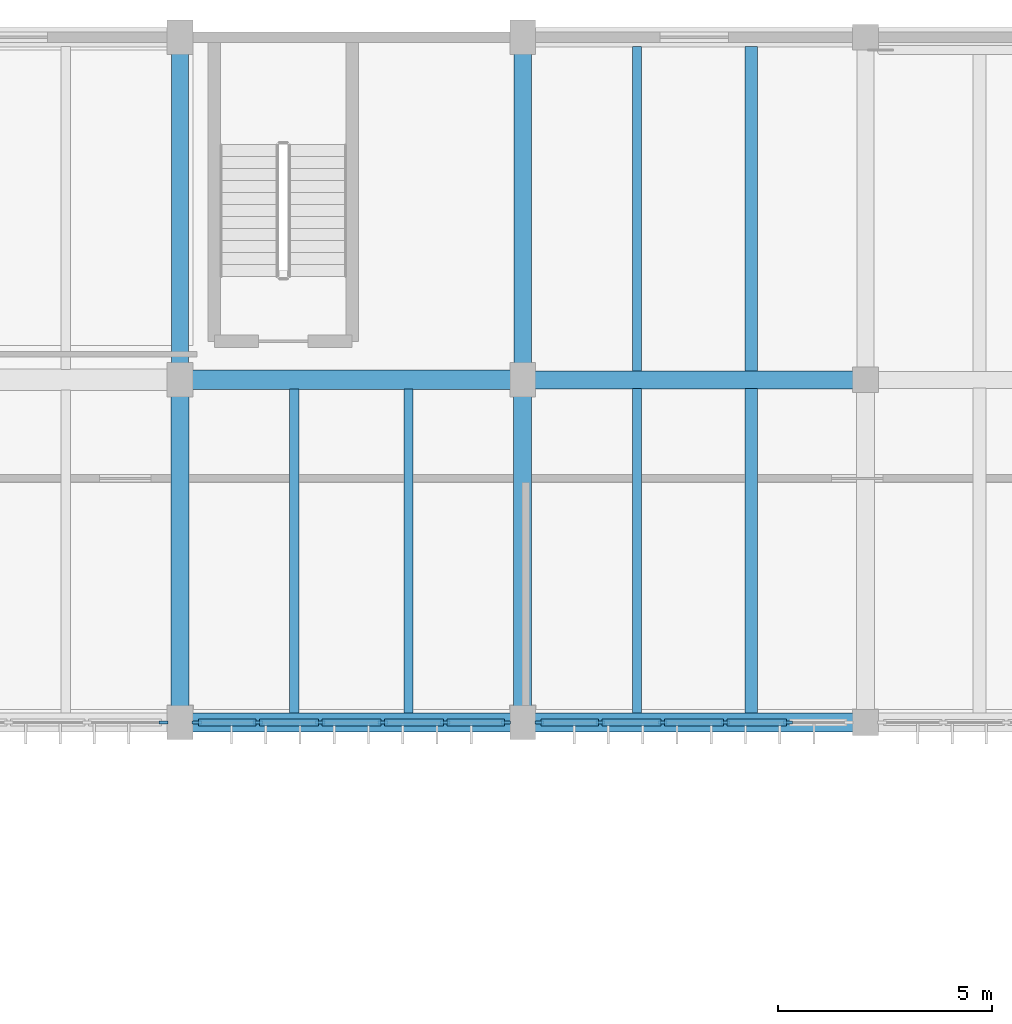
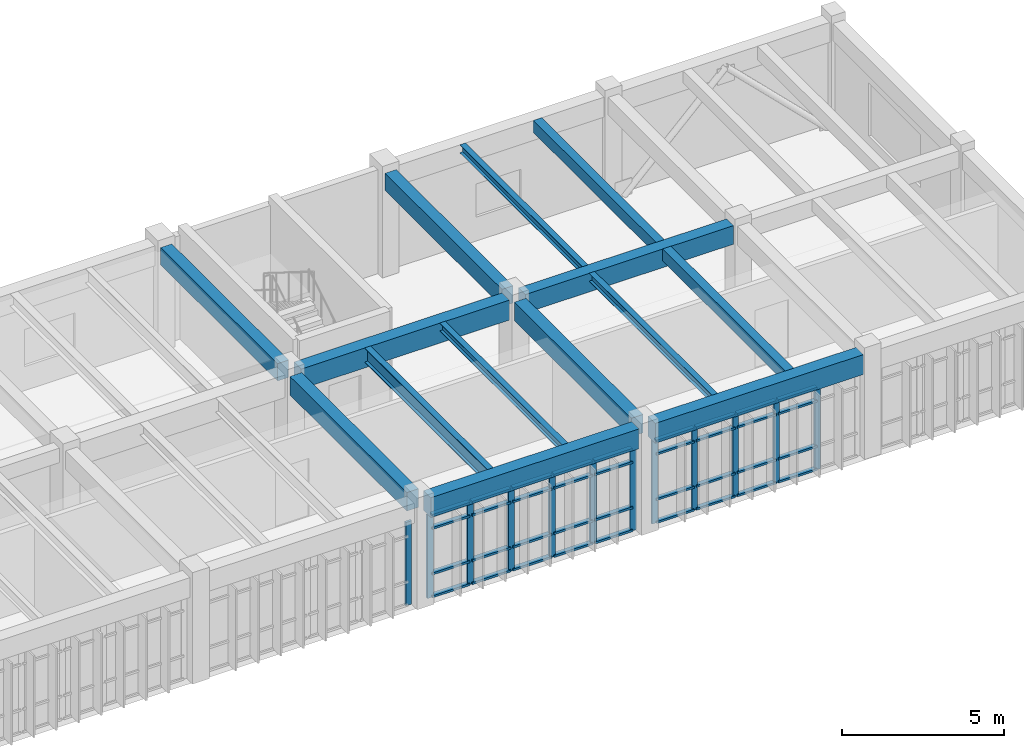
# One storey, part 27 of 67: 48 members, 14 beams, 3 elements without a shape of their own.
"""IFC4 building model written with IfcOpenShell, lengths in metres."""

from ifc_helpers import new_model, si_unit, direction, frame, origin, origin_2d, place, context, subcontext, project, spatial, rectangle, i_section, extrude, material, material_profile, profile_set, type_object, element, aggregate, save


model = new_model("IFC4")

# Units and contexts
model_context = context("Model", 3, precision=1e-05, world=origin(), true_north=direction((0.0, 1.0)))
body_context = subcontext(model_context, "Body", "Model", "MODEL_VIEW")
ifc_project = project(units=[si_unit("LENGTHUNIT", "METRE"), si_unit("AREAUNIT", "SQUARE_METRE"), si_unit("VOLUMEUNIT", "CUBIC_METRE"), si_unit("PLANEANGLEUNIT", "RADIAN"), si_unit("MASSUNIT", "GRAM", prefix="KILO")], contexts=[model_context])

# Site, building, storey
site_placement = place(None, origin())
site = spatial("IfcSite", under=ifc_project, at=site_placement, CompositionType="ELEMENT")
building_placement = place(site_placement, origin())
building = spatial("IfcBuilding", under=site, at=building_placement, Name="Tlaxcora Railside Police Headquarters", CompositionType="ELEMENT")
storey_placement = place(building_placement, frame((0.0, 0.0, 4.800048828125)))
storey = spatial("IfcBuildingStorey", under=building, at=storey_placement, Name="L01", CompositionType="ELEMENT", Elevation=4.800048828125)

# Curtain wall, members
ifc_material_1 = material(Name="Thermally broken low-E insulated glazing", Category="glass")
curtain_wall_type_1 = type_object("IfcCurtainWallType", Name="Unitised Curtain Wall Assembly CW-23", PredefinedType="NOTDEFINED", material=ifc_material_1)
curtain_wall_1_placement = place(storey_placement, origin())
curtain_wall_1 = element("IfcCurtainWall", 1, at=curtain_wall_1_placement, inside=storey, type_object=curtain_wall_type_1, Name="V6 L01 curtain wall 148", PredefinedType="NOTDEFINED")
ifc_material_2 = material(Name="Anodised aluminium framing", Category="aluminium")
ifc_material_profile_1 = material_profile(ifc_material_2, rectangle(XDim=0.080078125, YDim=0.219970703125, at=origin_2d()), Name="AL80X220")
ifc_profile_set_1 = profile_set([ifc_material_profile_1], Name="Anodised aluminium framing")
member_type_1 = type_object("IfcMemberType", Name="Curtain Wall Mullion CW-31", PredefinedType="MULLION", material=ifc_profile_set_1)
member_1_placement = place(storey_placement, frame((135.18994140625, 76.800048828125, 0.0), z_axis=(0.0, 0.0, 1.0), x_axis=(0.0, 1.0, 0.0)))
member_1 = element("IfcMember", 2, at=member_1_placement, type_object=member_type_1, Name="CW mullion 1", PredefinedType="MULLION", context=body_context, shape_type="SweptSolid", body=[
    extrude(rectangle(XDim=0.080078125, YDim=0.219970703125, at=origin_2d()), origin(), (0.0, 0.0, 1.0), 3.139892578125),
])
member_2_placement = place(storey_placement, frame((136.610107421875, 76.800048828125, 0.0), z_axis=(0.0, 0.0, 1.0), x_axis=(0.0, 1.0, 0.0)))
member_2 = element("IfcMember", 3, at=member_2_placement, type_object=member_type_1, Name="CW mullion 2", PredefinedType="MULLION", context=body_context, shape_type="SweptSolid", body=[
    extrude(rectangle(XDim=0.080078125, YDim=0.219970703125, at=origin_2d()), origin(), (0.0, 0.0, 1.0), 3.139892578125),
])
member_3_placement = place(storey_placement, frame((138.070068359375, 76.800048828125, 0.0), z_axis=(0.0, 0.0, 1.0), x_axis=(0.0, 1.0, 0.0)))
member_3 = element("IfcMember", 4, at=member_3_placement, type_object=member_type_1, Name="CW mullion 3", PredefinedType="MULLION", context=body_context, shape_type="SweptSolid", body=[
    extrude(rectangle(XDim=0.080078125, YDim=0.219970703125, at=origin_2d()), origin(), (0.0, 0.0, 1.0), 3.139892578125),
])
member_4_placement = place(storey_placement, frame((139.530029296875, 76.800048828125, 0.0), z_axis=(0.0, 0.0, 1.0), x_axis=(0.0, 1.0, 0.0)))
member_4 = element("IfcMember", 5, at=member_4_placement, type_object=member_type_1, Name="CW mullion 4", PredefinedType="MULLION", context=body_context, shape_type="SweptSolid", body=[
    extrude(rectangle(XDim=0.080078125, YDim=0.219970703125, at=origin_2d()), origin(), (0.0, 0.0, 1.0), 3.139892578125),
])
member_5_placement = place(storey_placement, frame((140.989990234375, 76.800048828125, 0.0), z_axis=(0.0, 0.0, 1.0), x_axis=(0.0, 1.0, 0.0)))
member_5 = element("IfcMember", 6, at=member_5_placement, type_object=member_type_1, Name="CW mullion 5", PredefinedType="MULLION", context=body_context, shape_type="SweptSolid", body=[
    extrude(rectangle(XDim=0.080078125, YDim=0.219970703125, at=origin_2d()), origin(), (0.0, 0.0, 1.0), 3.139892578125),
])
member_6_placement = place(storey_placement, frame((142.409912109375, 76.800048828125, 0.0), z_axis=(0.0, 0.0, 1.0), x_axis=(0.0, 1.0, 0.0)))
member_6 = element("IfcMember", 7, at=member_6_placement, type_object=member_type_1, Name="CW mullion 6", PredefinedType="MULLION", context=body_context, shape_type="SweptSolid", body=[
    extrude(rectangle(XDim=0.080078125, YDim=0.219970703125, at=origin_2d()), origin(), (0.0, 0.0, 1.0), 3.139892578125),
])

curtain_wall_type_2 = type_object("IfcCurtainWallType", Name="Unitised Curtain Wall Assembly CW-38", PredefinedType="NOTDEFINED", material=ifc_material_1)
curtain_wall_2_placement = place(storey_placement, origin())
curtain_wall_2 = element("IfcCurtainWall", 8, at=curtain_wall_2_placement, inside=storey, type_object=curtain_wall_type_2, Name="V6 L01 curtain wall 149", PredefinedType="NOTDEFINED")
ifc_material_profile_2 = material_profile(ifc_material_2, rectangle(XDim=0.074951171875, YDim=0.205078125, at=origin_2d()), Name="AL75X205")
ifc_profile_set_2 = profile_set([ifc_material_profile_2], Name="Anodised aluminium framing")
member_type_2 = type_object("IfcMemberType", Name="Curtain Wall Mullion CW-32", PredefinedType="MULLION", material=ifc_profile_set_2)
member_7_placement = place(storey_placement, frame((143.1875, 76.800048828125, 0.0), z_axis=(0.0, 0.0, 1.0), x_axis=(0.0, 1.0, 0.0)))
member_7 = element("IfcMember", 9, at=member_7_placement, type_object=member_type_2, Name="CW mullion 1", PredefinedType="MULLION", context=body_context, shape_type="SweptSolid", body=[
    extrude(rectangle(XDim=0.074951171875, YDim=0.205078125, at=origin_2d()), origin(), (0.0, 0.0, 1.0), 3.139892578125),
])
member_8_placement = place(storey_placement, frame((144.610107421875, 76.800048828125, 0.0), z_axis=(0.0, 0.0, 1.0), x_axis=(0.0, 1.0, 0.0)))
member_8 = element("IfcMember", 10, at=member_8_placement, type_object=member_type_2, Name="CW mullion 2", PredefinedType="MULLION", context=body_context, shape_type="SweptSolid", body=[
    extrude(rectangle(XDim=0.074951171875, YDim=0.205078125, at=origin_2d()), origin(), (0.0, 0.0, 1.0), 3.139892578125),
])
member_9_placement = place(storey_placement, frame((146.070068359375, 76.800048828125, 0.0), z_axis=(0.0, 0.0, 1.0), x_axis=(0.0, 1.0, 0.0)))
member_9 = element("IfcMember", 11, at=member_9_placement, type_object=member_type_2, Name="CW mullion 3", PredefinedType="MULLION", context=body_context, shape_type="SweptSolid", body=[
    extrude(rectangle(XDim=0.074951171875, YDim=0.205078125, at=origin_2d()), origin(), (0.0, 0.0, 1.0), 3.139892578125),
])
member_10_placement = place(storey_placement, frame((147.530029296875, 76.800048828125, 0.0), z_axis=(0.0, 0.0, 1.0), x_axis=(0.0, 1.0, 0.0)))
member_10 = element("IfcMember", 12, at=member_10_placement, type_object=member_type_2, Name="CW mullion 4", PredefinedType="MULLION", context=body_context, shape_type="SweptSolid", body=[
    extrude(rectangle(XDim=0.074951171875, YDim=0.205078125, at=origin_2d()), origin(), (0.0, 0.0, 1.0), 3.139892578125),
])
member_11_placement = place(storey_placement, frame((148.989990234375, 76.800048828125, 0.0), z_axis=(0.0, 0.0, 1.0), x_axis=(0.0, 1.0, 0.0)))
member_11 = element("IfcMember", 13, at=member_11_placement, type_object=member_type_2, Name="CW mullion 5", PredefinedType="MULLION", context=body_context, shape_type="SweptSolid", body=[
    extrude(rectangle(XDim=0.074951171875, YDim=0.205078125, at=origin_2d()), origin(), (0.0, 0.0, 1.0), 3.139892578125),
])

# Curtain wall, member
curtain_wall_type_3 = type_object("IfcCurtainWallType", Name="Unitised Curtain Wall Assembly CW-83", PredefinedType="NOTDEFINED", material=ifc_material_1)
curtain_wall_3_placement = place(storey_placement, origin())
curtain_wall_3 = element("IfcCurtainWall", 14, at=curtain_wall_3_placement, inside=storey, type_object=curtain_wall_type_3, Name="V6 L01 curtain wall 147", PredefinedType="NOTDEFINED")
ifc_material_profile_3 = material_profile(ifc_material_2, rectangle(XDim=0.080078125, YDim=0.2099609375, at=origin_2d()), Name="AL80X210")
ifc_profile_set_3 = profile_set([ifc_material_profile_3], Name="Anodised aluminium framing")
member_type_3 = type_object("IfcMemberType", Name="Curtain Wall Mullion CW-76", PredefinedType="MULLION", material=ifc_profile_set_3)
member_12_placement = place(storey_placement, frame((134.409912109375, 76.800048828125, 0.0), z_axis=(0.0, 0.0, 1.0), x_axis=(0.0, 1.0, 0.0)))
member_12 = element("IfcMember", 15, at=member_12_placement, type_object=member_type_3, Name="CW mullion 5", PredefinedType="MULLION", context=body_context, shape_type="SweptSolid", body=[
    extrude(rectangle(XDim=0.080078125, YDim=0.2099609375, at=origin_2d()), origin(), (0.0, 0.0, 1.0), 3.139892578125),
])
aggregate(curtain_wall_3, [member_12])

# Member
ifc_material_profile_4 = material_profile(ifc_material_2, rectangle(XDim=0.155029296875, YDim=0.074951171875, at=origin_2d()), Name="AL75X155")
ifc_profile_set_4 = profile_set([ifc_material_profile_4], Name="Anodised aluminium framing")
member_type_4 = type_object("IfcMemberType", Name="Curtain Wall Transom CW-30", PredefinedType="USERDEFINED", material=ifc_profile_set_4)
member_13_placement = place(storey_placement, frame((143.22509765625, 76.800048828125, 0.037353515625), z_axis=(1.0, 0.0, 0.0), x_axis=(0.0, 1.0, 0.0)))
member_13 = element("IfcMember", 16, at=member_13_placement, type_object=member_type_4, Name="CW transom 1.1", ObjectType="TRANSOM", PredefinedType="USERDEFINED", context=body_context, shape_type="SweptSolid", body=[
    extrude(rectangle(XDim=0.155029296875, YDim=0.074951171875, at=origin_2d()), origin(), (0.0, 0.0, 1.0), 1.347412109375),
])

member_14_placement = place(storey_placement, frame((143.22509765625, 76.800048828125, 0.89990234375), z_axis=(1.0, 0.0, 0.0), x_axis=(0.0, 1.0, 0.0)))
member_14 = element("IfcMember", 17, at=member_14_placement, type_object=member_type_4, Name="CW transom 1.2", ObjectType="TRANSOM", PredefinedType="USERDEFINED", context=body_context, shape_type="SweptSolid", body=[
    extrude(rectangle(XDim=0.155029296875, YDim=0.074951171875, at=origin_2d()), origin(), (0.0, 0.0, 1.0), 1.347412109375),
])

member_15_placement = place(storey_placement, frame((143.22509765625, 76.800048828125, 2.60986328125), z_axis=(1.0, 0.0, 0.0), x_axis=(0.0, 1.0, 0.0)))
member_15 = element("IfcMember", 18, at=member_15_placement, type_object=member_type_4, Name="CW transom 1.3", ObjectType="TRANSOM", PredefinedType="USERDEFINED", context=body_context, shape_type="SweptSolid", body=[
    extrude(rectangle(XDim=0.155029296875, YDim=0.074951171875, at=origin_2d()), origin(), (0.0, 0.0, 1.0), 1.347412109375),
])

member_16_placement = place(storey_placement, frame((143.22509765625, 76.800048828125, 3.1025390625), z_axis=(1.0, 0.0, 0.0), x_axis=(0.0, 1.0, 0.0)))
member_16 = element("IfcMember", 19, at=member_16_placement, type_object=member_type_4, Name="CW transom 1.4", ObjectType="TRANSOM", PredefinedType="USERDEFINED", context=body_context, shape_type="SweptSolid", body=[
    extrude(rectangle(XDim=0.155029296875, YDim=0.074951171875, at=origin_2d()), origin(), (0.0, 0.0, 1.0), 1.347412109375),
])

member_17_placement = place(storey_placement, frame((144.6474609375, 76.800048828125, 0.037353515625), z_axis=(1.0, 0.0, 0.0), x_axis=(0.0, 1.0, 0.0)))
member_17 = element("IfcMember", 20, at=member_17_placement, type_object=member_type_4, Name="CW transom 2.1", ObjectType="TRANSOM", PredefinedType="USERDEFINED", context=body_context, shape_type="SweptSolid", body=[
    extrude(rectangle(XDim=0.155029296875, YDim=0.074951171875, at=origin_2d()), origin(), (0.0, 0.0, 1.0), 1.385009765625),
])

member_18_placement = place(storey_placement, frame((144.6474609375, 76.800048828125, 0.89990234375), z_axis=(1.0, 0.0, 0.0), x_axis=(0.0, 1.0, 0.0)))
member_18 = element("IfcMember", 21, at=member_18_placement, type_object=member_type_4, Name="CW transom 2.2", ObjectType="TRANSOM", PredefinedType="USERDEFINED", context=body_context, shape_type="SweptSolid", body=[
    extrude(rectangle(XDim=0.155029296875, YDim=0.074951171875, at=origin_2d()), origin(), (0.0, 0.0, 1.0), 1.385009765625),
])

member_19_placement = place(storey_placement, frame((144.6474609375, 76.800048828125, 2.60986328125), z_axis=(1.0, 0.0, 0.0), x_axis=(0.0, 1.0, 0.0)))
member_19 = element("IfcMember", 22, at=member_19_placement, type_object=member_type_4, Name="CW transom 2.3", ObjectType="TRANSOM", PredefinedType="USERDEFINED", context=body_context, shape_type="SweptSolid", body=[
    extrude(rectangle(XDim=0.155029296875, YDim=0.074951171875, at=origin_2d()), origin(), (0.0, 0.0, 1.0), 1.385009765625),
])

member_20_placement = place(storey_placement, frame((144.6474609375, 76.800048828125, 3.1025390625), z_axis=(1.0, 0.0, 0.0), x_axis=(0.0, 1.0, 0.0)))
member_20 = element("IfcMember", 23, at=member_20_placement, type_object=member_type_4, Name="CW transom 2.4", ObjectType="TRANSOM", PredefinedType="USERDEFINED", context=body_context, shape_type="SweptSolid", body=[
    extrude(rectangle(XDim=0.155029296875, YDim=0.074951171875, at=origin_2d()), origin(), (0.0, 0.0, 1.0), 1.385009765625),
])

member_21_placement = place(storey_placement, frame((146.107421875, 76.800048828125, 0.037353515625), z_axis=(1.0, 0.0, 0.0), x_axis=(0.0, 1.0, 0.0)))
member_21 = element("IfcMember", 24, at=member_21_placement, type_object=member_type_4, Name="CW transom 3.1", ObjectType="TRANSOM", PredefinedType="USERDEFINED", context=body_context, shape_type="SweptSolid", body=[
    extrude(rectangle(XDim=0.155029296875, YDim=0.074951171875, at=origin_2d()), origin(), (0.0, 0.0, 1.0), 1.385009765625),
])

member_22_placement = place(storey_placement, frame((146.107421875, 76.800048828125, 0.89990234375), z_axis=(1.0, 0.0, 0.0), x_axis=(0.0, 1.0, 0.0)))
member_22 = element("IfcMember", 25, at=member_22_placement, type_object=member_type_4, Name="CW transom 3.2", ObjectType="TRANSOM", PredefinedType="USERDEFINED", context=body_context, shape_type="SweptSolid", body=[
    extrude(rectangle(XDim=0.155029296875, YDim=0.074951171875, at=origin_2d()), origin(), (0.0, 0.0, 1.0), 1.385009765625),
])

member_23_placement = place(storey_placement, frame((146.107421875, 76.800048828125, 2.60986328125), z_axis=(1.0, 0.0, 0.0), x_axis=(0.0, 1.0, 0.0)))
member_23 = element("IfcMember", 26, at=member_23_placement, type_object=member_type_4, Name="CW transom 3.3", ObjectType="TRANSOM", PredefinedType="USERDEFINED", context=body_context, shape_type="SweptSolid", body=[
    extrude(rectangle(XDim=0.155029296875, YDim=0.074951171875, at=origin_2d()), origin(), (0.0, 0.0, 1.0), 1.385009765625),
])

member_24_placement = place(storey_placement, frame((146.107421875, 76.800048828125, 3.1025390625), z_axis=(1.0, 0.0, 0.0), x_axis=(0.0, 1.0, 0.0)))
member_24 = element("IfcMember", 27, at=member_24_placement, type_object=member_type_4, Name="CW transom 3.4", ObjectType="TRANSOM", PredefinedType="USERDEFINED", context=body_context, shape_type="SweptSolid", body=[
    extrude(rectangle(XDim=0.155029296875, YDim=0.074951171875, at=origin_2d()), origin(), (0.0, 0.0, 1.0), 1.385009765625),
])

member_25_placement = place(storey_placement, frame((147.5673828125, 76.800048828125, 0.037353515625), z_axis=(1.0, 0.0, 0.0), x_axis=(0.0, 1.0, 0.0)))
member_25 = element("IfcMember", 28, at=member_25_placement, type_object=member_type_4, Name="CW transom 4.1", ObjectType="TRANSOM", PredefinedType="USERDEFINED", context=body_context, shape_type="SweptSolid", body=[
    extrude(rectangle(XDim=0.155029296875, YDim=0.074951171875, at=origin_2d()), origin(), (0.0, 0.0, 1.0), 1.385009765625),
])

member_26_placement = place(storey_placement, frame((147.5673828125, 76.800048828125, 0.89990234375), z_axis=(1.0, 0.0, 0.0), x_axis=(0.0, 1.0, 0.0)))
member_26 = element("IfcMember", 29, at=member_26_placement, type_object=member_type_4, Name="CW transom 4.2", ObjectType="TRANSOM", PredefinedType="USERDEFINED", context=body_context, shape_type="SweptSolid", body=[
    extrude(rectangle(XDim=0.155029296875, YDim=0.074951171875, at=origin_2d()), origin(), (0.0, 0.0, 1.0), 1.385009765625),
])

member_27_placement = place(storey_placement, frame((147.5673828125, 76.800048828125, 2.60986328125), z_axis=(1.0, 0.0, 0.0), x_axis=(0.0, 1.0, 0.0)))
member_27 = element("IfcMember", 30, at=member_27_placement, type_object=member_type_4, Name="CW transom 4.3", ObjectType="TRANSOM", PredefinedType="USERDEFINED", context=body_context, shape_type="SweptSolid", body=[
    extrude(rectangle(XDim=0.155029296875, YDim=0.074951171875, at=origin_2d()), origin(), (0.0, 0.0, 1.0), 1.385009765625),
])

member_28_placement = place(storey_placement, frame((147.5673828125, 76.800048828125, 3.1025390625), z_axis=(1.0, 0.0, 0.0), x_axis=(0.0, 1.0, 0.0)))
member_28 = element("IfcMember", 31, at=member_28_placement, type_object=member_type_4, Name="CW transom 4.4", ObjectType="TRANSOM", PredefinedType="USERDEFINED", context=body_context, shape_type="SweptSolid", body=[
    extrude(rectangle(XDim=0.155029296875, YDim=0.074951171875, at=origin_2d()), origin(), (0.0, 0.0, 1.0), 1.385009765625),
])

aggregate(curtain_wall_2, [member_7, member_8, member_9, member_10, member_11, member_13, member_14, member_15, member_16, member_17, member_18, member_19, member_20, member_21, member_22, member_23, member_24, member_25, member_26, member_27, member_28])

ifc_material_profile_5 = material_profile(ifc_material_2, rectangle(XDim=0.1650390625, YDim=0.080078125, at=origin_2d()), Name="AL80X165")
ifc_profile_set_5 = profile_set([ifc_material_profile_5], Name="Anodised aluminium framing")
member_type_5 = type_object("IfcMemberType", Name="Curtain Wall Transom CW-62", PredefinedType="USERDEFINED", material=ifc_profile_set_5)
member_29_placement = place(storey_placement, frame((135.22998046875, 76.800048828125, 0.0400390625), z_axis=(1.0, 0.0, 0.0), x_axis=(0.0, 1.0, 0.0)))
member_29 = element("IfcMember", 32, at=member_29_placement, type_object=member_type_5, Name="CW transom 1.1", ObjectType="TRANSOM", PredefinedType="USERDEFINED", context=body_context, shape_type="SweptSolid", body=[
    extrude(rectangle(XDim=0.1650390625, YDim=0.080078125, at=origin_2d()), origin(), (0.0, 0.0, 1.0), 1.340087890625),
])

member_30_placement = place(storey_placement, frame((135.22998046875, 76.800048828125, 0.89990234375), z_axis=(1.0, 0.0, 0.0), x_axis=(0.0, 1.0, 0.0)))
member_30 = element("IfcMember", 33, at=member_30_placement, type_object=member_type_5, Name="CW transom 1.2", ObjectType="TRANSOM", PredefinedType="USERDEFINED", context=body_context, shape_type="SweptSolid", body=[
    extrude(rectangle(XDim=0.1650390625, YDim=0.080078125, at=origin_2d()), origin(), (0.0, 0.0, 1.0), 1.340087890625),
])

member_31_placement = place(storey_placement, frame((135.22998046875, 76.800048828125, 2.60986328125), z_axis=(1.0, 0.0, 0.0), x_axis=(0.0, 1.0, 0.0)))
member_31 = element("IfcMember", 34, at=member_31_placement, type_object=member_type_5, Name="CW transom 1.3", ObjectType="TRANSOM", PredefinedType="USERDEFINED", context=body_context, shape_type="SweptSolid", body=[
    extrude(rectangle(XDim=0.1650390625, YDim=0.080078125, at=origin_2d()), origin(), (0.0, 0.0, 1.0), 1.340087890625),
])

member_32_placement = place(storey_placement, frame((135.22998046875, 76.800048828125, 3.099853515625), z_axis=(1.0, 0.0, 0.0), x_axis=(0.0, 1.0, 0.0)))
member_32 = element("IfcMember", 35, at=member_32_placement, type_object=member_type_5, Name="CW transom 1.4", ObjectType="TRANSOM", PredefinedType="USERDEFINED", context=body_context, shape_type="SweptSolid", body=[
    extrude(rectangle(XDim=0.1650390625, YDim=0.080078125, at=origin_2d()), origin(), (0.0, 0.0, 1.0), 1.340087890625),
])

member_33_placement = place(storey_placement, frame((136.64990234375, 76.800048828125, 0.0400390625), z_axis=(1.0, 0.0, 0.0), x_axis=(0.0, 1.0, 0.0)))
member_33 = element("IfcMember", 36, at=member_33_placement, type_object=member_type_5, Name="CW transom 2.1", ObjectType="TRANSOM", PredefinedType="USERDEFINED", context=body_context, shape_type="SweptSolid", body=[
    extrude(rectangle(XDim=0.1650390625, YDim=0.080078125, at=origin_2d()), origin(), (0.0, 0.0, 1.0), 1.380126953125),
])

member_34_placement = place(storey_placement, frame((136.64990234375, 76.800048828125, 0.89990234375), z_axis=(1.0, 0.0, 0.0), x_axis=(0.0, 1.0, 0.0)))
member_34 = element("IfcMember", 37, at=member_34_placement, type_object=member_type_5, Name="CW transom 2.2", ObjectType="TRANSOM", PredefinedType="USERDEFINED", context=body_context, shape_type="SweptSolid", body=[
    extrude(rectangle(XDim=0.1650390625, YDim=0.080078125, at=origin_2d()), origin(), (0.0, 0.0, 1.0), 1.380126953125),
])

member_35_placement = place(storey_placement, frame((136.64990234375, 76.800048828125, 2.60986328125), z_axis=(1.0, 0.0, 0.0), x_axis=(0.0, 1.0, 0.0)))
member_35 = element("IfcMember", 38, at=member_35_placement, type_object=member_type_5, Name="CW transom 2.3", ObjectType="TRANSOM", PredefinedType="USERDEFINED", context=body_context, shape_type="SweptSolid", body=[
    extrude(rectangle(XDim=0.1650390625, YDim=0.080078125, at=origin_2d()), origin(), (0.0, 0.0, 1.0), 1.380126953125),
])

member_36_placement = place(storey_placement, frame((136.64990234375, 76.800048828125, 3.099853515625), z_axis=(1.0, 0.0, 0.0), x_axis=(0.0, 1.0, 0.0)))
member_36 = element("IfcMember", 39, at=member_36_placement, type_object=member_type_5, Name="CW transom 2.4", ObjectType="TRANSOM", PredefinedType="USERDEFINED", context=body_context, shape_type="SweptSolid", body=[
    extrude(rectangle(XDim=0.1650390625, YDim=0.080078125, at=origin_2d()), origin(), (0.0, 0.0, 1.0), 1.380126953125),
])

member_37_placement = place(storey_placement, frame((138.110107421875, 76.800048828125, 0.0400390625), z_axis=(1.0, 0.0, 0.0), x_axis=(0.0, 1.0, 0.0)))
member_37 = element("IfcMember", 40, at=member_37_placement, type_object=member_type_5, Name="CW transom 3.1", ObjectType="TRANSOM", PredefinedType="USERDEFINED", context=body_context, shape_type="SweptSolid", body=[
    extrude(rectangle(XDim=0.1650390625, YDim=0.080078125, at=origin_2d()), origin(), (0.0, 0.0, 1.0), 1.3798828125),
])

member_38_placement = place(storey_placement, frame((138.110107421875, 76.800048828125, 0.89990234375), z_axis=(1.0, 0.0, 0.0), x_axis=(0.0, 1.0, 0.0)))
member_38 = element("IfcMember", 41, at=member_38_placement, type_object=member_type_5, Name="CW transom 3.2", ObjectType="TRANSOM", PredefinedType="USERDEFINED", context=body_context, shape_type="SweptSolid", body=[
    extrude(rectangle(XDim=0.1650390625, YDim=0.080078125, at=origin_2d()), origin(), (0.0, 0.0, 1.0), 1.3798828125),
])

member_39_placement = place(storey_placement, frame((138.110107421875, 76.800048828125, 2.60986328125), z_axis=(1.0, 0.0, 0.0), x_axis=(0.0, 1.0, 0.0)))
member_39 = element("IfcMember", 42, at=member_39_placement, type_object=member_type_5, Name="CW transom 3.3", ObjectType="TRANSOM", PredefinedType="USERDEFINED", context=body_context, shape_type="SweptSolid", body=[
    extrude(rectangle(XDim=0.1650390625, YDim=0.080078125, at=origin_2d()), origin(), (0.0, 0.0, 1.0), 1.3798828125),
])

member_40_placement = place(storey_placement, frame((138.110107421875, 76.800048828125, 3.099853515625), z_axis=(1.0, 0.0, 0.0), x_axis=(0.0, 1.0, 0.0)))
member_40 = element("IfcMember", 43, at=member_40_placement, type_object=member_type_5, Name="CW transom 3.4", ObjectType="TRANSOM", PredefinedType="USERDEFINED", context=body_context, shape_type="SweptSolid", body=[
    extrude(rectangle(XDim=0.1650390625, YDim=0.080078125, at=origin_2d()), origin(), (0.0, 0.0, 1.0), 1.3798828125),
])

member_41_placement = place(storey_placement, frame((139.570068359375, 76.800048828125, 0.0400390625), z_axis=(1.0, 0.0, 0.0), x_axis=(0.0, 1.0, 0.0)))
member_41 = element("IfcMember", 44, at=member_41_placement, type_object=member_type_5, Name="CW transom 4.1", ObjectType="TRANSOM", PredefinedType="USERDEFINED", context=body_context, shape_type="SweptSolid", body=[
    extrude(rectangle(XDim=0.1650390625, YDim=0.080078125, at=origin_2d()), origin(), (0.0, 0.0, 1.0), 1.3798828125),
])

member_42_placement = place(storey_placement, frame((139.570068359375, 76.800048828125, 0.89990234375), z_axis=(1.0, 0.0, 0.0), x_axis=(0.0, 1.0, 0.0)))
member_42 = element("IfcMember", 45, at=member_42_placement, type_object=member_type_5, Name="CW transom 4.2", ObjectType="TRANSOM", PredefinedType="USERDEFINED", context=body_context, shape_type="SweptSolid", body=[
    extrude(rectangle(XDim=0.1650390625, YDim=0.080078125, at=origin_2d()), origin(), (0.0, 0.0, 1.0), 1.3798828125),
])

member_43_placement = place(storey_placement, frame((139.570068359375, 76.800048828125, 2.60986328125), z_axis=(1.0, 0.0, 0.0), x_axis=(0.0, 1.0, 0.0)))
member_43 = element("IfcMember", 46, at=member_43_placement, type_object=member_type_5, Name="CW transom 4.3", ObjectType="TRANSOM", PredefinedType="USERDEFINED", context=body_context, shape_type="SweptSolid", body=[
    extrude(rectangle(XDim=0.1650390625, YDim=0.080078125, at=origin_2d()), origin(), (0.0, 0.0, 1.0), 1.3798828125),
])

member_44_placement = place(storey_placement, frame((139.570068359375, 76.800048828125, 3.099853515625), z_axis=(1.0, 0.0, 0.0), x_axis=(0.0, 1.0, 0.0)))
member_44 = element("IfcMember", 47, at=member_44_placement, type_object=member_type_5, Name="CW transom 4.4", ObjectType="TRANSOM", PredefinedType="USERDEFINED", context=body_context, shape_type="SweptSolid", body=[
    extrude(rectangle(XDim=0.1650390625, YDim=0.080078125, at=origin_2d()), origin(), (0.0, 0.0, 1.0), 1.3798828125),
])

member_45_placement = place(storey_placement, frame((141.030029296875, 76.800048828125, 0.0400390625), z_axis=(1.0, 0.0, 0.0), x_axis=(0.0, 1.0, 0.0)))
member_45 = element("IfcMember", 48, at=member_45_placement, type_object=member_type_5, Name="CW transom 5.1", ObjectType="TRANSOM", PredefinedType="USERDEFINED", context=body_context, shape_type="SweptSolid", body=[
    extrude(rectangle(XDim=0.1650390625, YDim=0.080078125, at=origin_2d()), origin(), (0.0, 0.0, 1.0), 1.340087890625),
])

member_46_placement = place(storey_placement, frame((141.030029296875, 76.800048828125, 0.89990234375), z_axis=(1.0, 0.0, 0.0), x_axis=(0.0, 1.0, 0.0)))
member_46 = element("IfcMember", 49, at=member_46_placement, type_object=member_type_5, Name="CW transom 5.2", ObjectType="TRANSOM", PredefinedType="USERDEFINED", context=body_context, shape_type="SweptSolid", body=[
    extrude(rectangle(XDim=0.1650390625, YDim=0.080078125, at=origin_2d()), origin(), (0.0, 0.0, 1.0), 1.340087890625),
])

member_47_placement = place(storey_placement, frame((141.030029296875, 76.800048828125, 2.60986328125), z_axis=(1.0, 0.0, 0.0), x_axis=(0.0, 1.0, 0.0)))
member_47 = element("IfcMember", 50, at=member_47_placement, type_object=member_type_5, Name="CW transom 5.3", ObjectType="TRANSOM", PredefinedType="USERDEFINED", context=body_context, shape_type="SweptSolid", body=[
    extrude(rectangle(XDim=0.1650390625, YDim=0.080078125, at=origin_2d()), origin(), (0.0, 0.0, 1.0), 1.340087890625),
])

member_48_placement = place(storey_placement, frame((141.030029296875, 76.800048828125, 3.099853515625), z_axis=(1.0, 0.0, 0.0), x_axis=(0.0, 1.0, 0.0)))
member_48 = element("IfcMember", 51, at=member_48_placement, type_object=member_type_5, Name="CW transom 5.4", ObjectType="TRANSOM", PredefinedType="USERDEFINED", context=body_context, shape_type="SweptSolid", body=[
    extrude(rectangle(XDim=0.1650390625, YDim=0.080078125, at=origin_2d()), origin(), (0.0, 0.0, 1.0), 1.340087890625),
])

aggregate(curtain_wall_1, [member_1, member_2, member_3, member_4, member_5, member_6, member_29, member_30, member_31, member_32, member_33, member_34, member_35, member_36, member_37, member_38, member_39, member_40, member_41, member_42, member_43, member_44, member_45, member_46, member_47, member_48])

# Beams
ifc_material_3 = material(Name="Concrete C40/50", Category="concrete")
ifc_material_profile_6 = material_profile(ifc_material_3, rectangle(XDim=0.449951171875, YDim=0.75, at=origin_2d()), Name="RC450X750")
ifc_profile_set_6 = profile_set([ifc_material_profile_6], Name="Concrete C40/50")
beam_type_1 = type_object("IfcBeamType", Name="Perimeter Spandrel Beam BM-86", PredefinedType="SPANDREL", material=ifc_profile_set_6)
for number, where, z_axis, x_axis, name in (
    (52, (135.090087890625, 76.800048828125, 3.534912109375), (1.0, 0.0, 0.0), (0.0, 1.0, 0.0), "V6 L01 X-girder Y=76.8"),
    (53, (143.090087890625, 76.800048828125, 3.534912109375), (1.0, 0.0, 0.0), (0.0, 1.0, 0.0), "V6 L01 X-girder Y=76.8"),
):
    element("IfcBeam", number, at=place(storey_placement, frame(where, z_axis=z_axis, x_axis=x_axis)), inside=storey, type_object=beam_type_1, Name=name, PredefinedType="SPANDREL", context=body_context, shape_type="SweptSolid", body=[
        extrude(rectangle(XDim=0.449951171875, YDim=0.75, at=origin_2d()), origin(), (0.0, 0.0, 1.0), 7.419921875),
    ])
ifc_material_profile_7 = material_profile(ifc_material_3, rectangle(XDim=0.419921875, YDim=0.699951171875, at=origin_2d()), Name="RC420X700")
ifc_profile_set_7 = profile_set([ifc_material_profile_7], Name="Concrete C40/50")
beam_type_2 = type_object("IfcBeamType", Name="Primary Frame Girder BM-35", PredefinedType="BEAM", material=ifc_profile_set_7)
beam_1_placement = place(storey_placement, frame((143.090087890625, 84.800048828125, 3.56005859375), z_axis=(1.0, 0.0, 0.0), x_axis=(0.0, 1.0, 0.0)))
element("IfcBeam", 54, at=beam_1_placement, inside=storey, type_object=beam_type_2, Name="V6 L01 X-girder Y=84.8", PredefinedType="BEAM", context=body_context, shape_type="SweptSolid", body=[
    extrude(rectangle(XDim=0.419921875, YDim=0.699951171875, at=origin_2d()), origin(), (0.0, 0.0, 1.0), 7.419921875),
])
for number, where, z_axis, x_axis, name in (
    (55, (134.800048828125, 77.18994140625, 3.56005859375), (0.0, 1.0, 0.0), (-1.0, 0.0, 0.0), "V6 L01 Y-girder X=134.8"),
    (56, (142.800048828125, 77.18994140625, 3.56005859375), (0.0, 1.0, 0.0), (-1.0, 0.0, 0.0), "V6 L01 Y-girder X=142.8"),
):
    element("IfcBeam", number, at=place(storey_placement, frame(where, z_axis=z_axis, x_axis=x_axis)), inside=storey, type_object=beam_type_2, Name=name, PredefinedType="BEAM", context=body_context, shape_type="SweptSolid", body=[
        extrude(rectangle(XDim=0.419921875, YDim=0.699951171875, at=origin_2d()), origin(), (0.0, 0.0, 1.0), 7.219970703125),
    ])
ifc_material_profile_8 = material_profile(ifc_material_3, rectangle(XDim=0.39990234375, YDim=0.64990234375, at=origin_2d()), Name="RC400X650")
ifc_profile_set_8 = profile_set([ifc_material_profile_8], Name="Concrete C40/50")
beam_type_3 = type_object("IfcBeamType", Name="Primary Frame Girder BM-41", PredefinedType="BEAM", material=ifc_profile_set_8)
for number, where, z_axis, x_axis, name in (
    (57, (134.800048828125, 85.18994140625, 3.5849609375), (0.0, 1.0, 0.0), (-1.0, 0.0, 0.0), "V6 L01 Y-girder X=134.8"),
    (58, (142.800048828125, 85.18994140625, 3.5849609375), (0.0, 1.0, 0.0), (-1.0, 0.0, 0.0), "V6 L01 Y-girder X=142.8"),
):
    element("IfcBeam", number, at=place(storey_placement, frame(where, z_axis=z_axis, x_axis=x_axis)), inside=storey, type_object=beam_type_3, Name=name, PredefinedType="BEAM", context=body_context, shape_type="SweptSolid", body=[
        extrude(rectangle(XDim=0.39990234375, YDim=0.64990234375, at=origin_2d()), origin(), (0.0, 0.0, 1.0), 7.219970703125),
    ])
ifc_material_profile_9 = material_profile(ifc_material_3, rectangle(XDim=0.449951171875, YDim=0.75, at=origin_2d()), Name="RC450X750")
ifc_profile_set_9 = profile_set([ifc_material_profile_9], Name="Concrete C40/50")
beam_type_4 = type_object("IfcBeamType", Name="Primary Frame Girder BM-73", PredefinedType="BEAM", material=ifc_profile_set_9)
beam_2_placement = place(storey_placement, frame((135.090087890625, 84.800048828125, 3.534912109375), z_axis=(1.0, 0.0, 0.0), x_axis=(0.0, 1.0, 0.0)))
element("IfcBeam", 59, at=beam_2_placement, inside=storey, type_object=beam_type_4, Name="V6 L01 X-girder Y=84.8", PredefinedType="BEAM", context=body_context, shape_type="SweptSolid", body=[
    extrude(rectangle(XDim=0.449951171875, YDim=0.75, at=origin_2d()), origin(), (0.0, 0.0, 1.0), 7.419921875),
])
ifc_material_4 = material(Name="Concrete C35/45", Category="concrete")
ifc_material_profile_10 = material_profile(ifc_material_4, rectangle(XDim=0.300048828125, YDim=0.449951171875, at=origin_2d()), Name="RC300X450")
ifc_profile_set_10 = profile_set([ifc_material_profile_10], Name="Concrete C35/45")
beam_type_5 = type_object("IfcBeamType", Name="Secondary Floor Joist BM-27", PredefinedType="JOIST", material=ifc_profile_set_10)
beam_3_placement = place(storey_placement, frame((148.13330078125, 77.01708984375, 3.68505859375), z_axis=(0.0, 1.0, 0.0), x_axis=(-1.0, 0.0, 0.0)))
element("IfcBeam", 60, at=beam_3_placement, inside=storey, type_object=beam_type_5, Name="V6 L01 floor joist X=148.13", PredefinedType="JOIST", context=body_context, shape_type="SweptSolid", body=[
    extrude(rectangle(XDim=0.300048828125, YDim=0.449951171875, at=origin_2d()), origin(), (0.0, 0.0, 1.0), 7.580810546875),
])
beam_4_placement = place(storey_placement, frame((148.13330078125, 85.001953125, 3.68505859375), z_axis=(0.0, 1.0, 0.0), x_axis=(-1.0, 0.0, 0.0)))
element("IfcBeam", 61, at=beam_4_placement, inside=storey, type_object=beam_type_5, Name="V6 L01 floor joist X=148.13", PredefinedType="JOIST", context=body_context, shape_type="SweptSolid", body=[
    extrude(rectangle(XDim=0.300048828125, YDim=0.449951171875, at=origin_2d()), origin(), (0.0, 0.0, 1.0), 7.5810546875),
])
ifc_material_5 = material(Name="Steel ASTM A992 Grade 50", Category="steel")
ifc_material_profile_11 = material_profile(ifc_material_5, i_section(OverallWidth=0.202880859375, OverallDepth=0.302978515625, WebThickness=0.007568359375, FlangeThickness=0.01318359375, at=origin_2d()), Name="W12X40")
ifc_profile_set_11 = profile_set([ifc_material_profile_11], Name="Steel ASTM A992 Grade 50")
beam_type_6 = type_object("IfcBeamType", Name="Secondary Floor Joist BM-96", PredefinedType="JOIST", material=ifc_profile_set_11)
beam_5_placement = place(storey_placement, frame((140.13330078125, 77.01708984375, 3.758544921875), z_axis=(0.0, 1.0, 0.0), x_axis=(-1.0, 0.0, 0.0)))
element("IfcBeam", 62, at=beam_5_placement, inside=storey, type_object=beam_type_6, Name="V6 L01 floor joist X=140.13", PredefinedType="JOIST", context=body_context, shape_type="SweptSolid", body=[
    extrude(i_section(OverallWidth=0.202880859375, OverallDepth=0.302978515625, WebThickness=0.007568359375, FlangeThickness=0.01318359375, at=origin_2d()), origin(), (0.0, 0.0, 1.0), 7.56591796875),
])
beam_6_placement = place(storey_placement, frame((145.466796875, 77.01708984375, 3.758544921875), z_axis=(0.0, 1.0, 0.0), x_axis=(-1.0, 0.0, 0.0)))
element("IfcBeam", 63, at=beam_6_placement, inside=storey, type_object=beam_type_6, Name="V6 L01 floor joist X=145.47", PredefinedType="JOIST", context=body_context, shape_type="SweptSolid", body=[
    extrude(i_section(OverallWidth=0.202880859375, OverallDepth=0.302978515625, WebThickness=0.007568359375, FlangeThickness=0.01318359375, at=origin_2d()), origin(), (0.0, 0.0, 1.0), 7.580810546875),
])
beam_7_placement = place(storey_placement, frame((145.466796875, 85.001953125, 3.758544921875), z_axis=(0.0, 1.0, 0.0), x_axis=(-1.0, 0.0, 0.0)))
element("IfcBeam", 64, at=beam_7_placement, inside=storey, type_object=beam_type_6, Name="V6 L01 floor joist X=145.47", PredefinedType="JOIST", context=body_context, shape_type="SweptSolid", body=[
    extrude(i_section(OverallWidth=0.202880859375, OverallDepth=0.302978515625, WebThickness=0.007568359375, FlangeThickness=0.01318359375, at=origin_2d()), origin(), (0.0, 0.0, 1.0), 7.5810546875),
])
ifc_material_profile_12 = material_profile(ifc_material_5, i_section(OverallWidth=0.214111328125, OverallDepth=0.549072265625, WebThickness=0.0146484375, FlangeThickness=0.023681640625, at=origin_2d()), Name="W21X93")
ifc_profile_set_12 = profile_set([ifc_material_profile_12], Name="Steel ASTM A992 Grade 50")
beam_type_7 = type_object("IfcBeamType", Name="Secondary Floor Joist BM-97", PredefinedType="JOIST", material=ifc_profile_set_12)
beam_8_placement = place(storey_placement, frame((137.466796875, 77.01708984375, 3.635498046875), z_axis=(0.0, 1.0, 0.0), x_axis=(-1.0, 0.0, 0.0)))
element("IfcBeam", 65, at=beam_8_placement, inside=storey, type_object=beam_type_7, Name="V6 L01 floor joist X=137.47", PredefinedType="JOIST", context=body_context, shape_type="SweptSolid", body=[
    extrude(i_section(OverallWidth=0.214111328125, OverallDepth=0.549072265625, WebThickness=0.0146484375, FlangeThickness=0.023681640625, at=origin_2d()), origin(), (0.0, 0.0, 1.0), 7.56591796875),
])

save(model, "model.ifc")
